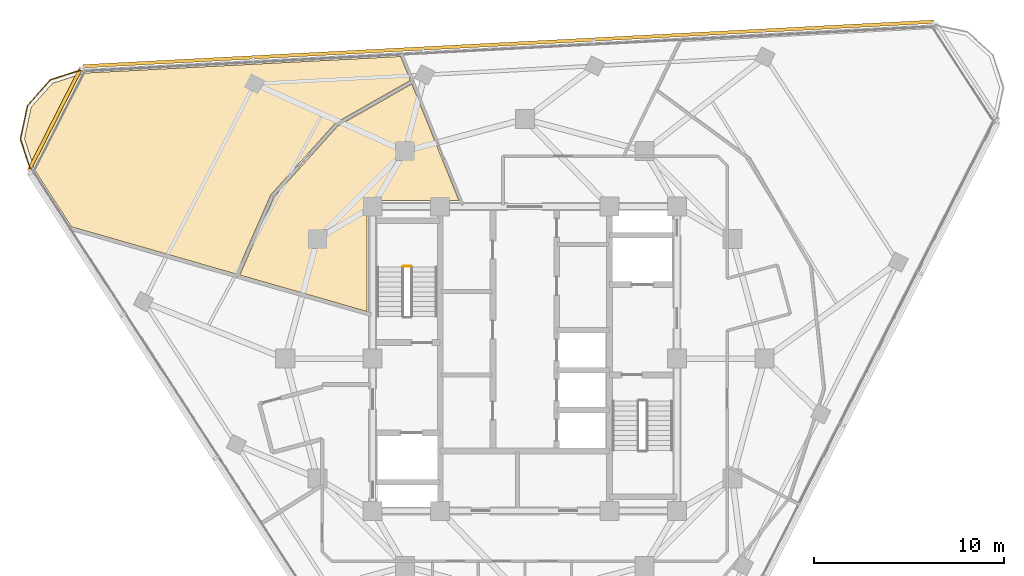
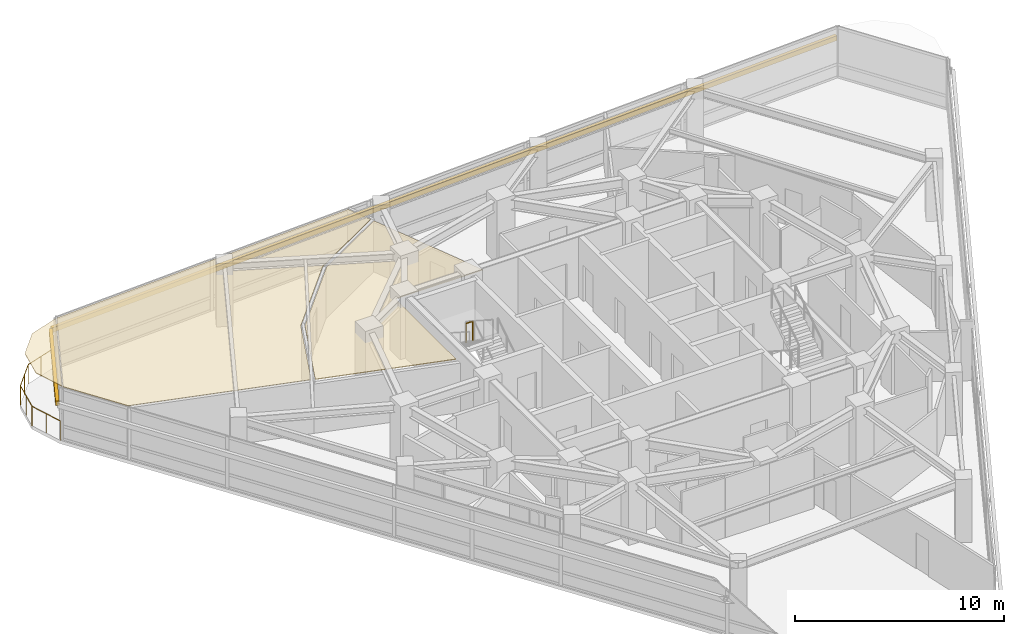
# One storey, part 14 of 15: 2 coverings, 2 railings, 2 shading devices.
"""IFC4 building model written with IfcOpenShell, lengths in metres."""

from ifc_helpers import new_model, si_unit, direction, frame, origin, origin_2d, place, context, subcontext, project, spatial, polyline, rectangle, circle, outline, extrude, material, layer, layer_set, type_object, element, save


model = new_model("IFC4")

# Units and contexts
model_context = context("Model", 3, precision=1e-05, world=origin(), true_north=direction((0.0, 1.0)))
body_context = subcontext(model_context, "Body", "Model", "MODEL_VIEW")
ifc_project = project(units=[si_unit("LENGTHUNIT", "METRE"), si_unit("AREAUNIT", "SQUARE_METRE"), si_unit("VOLUMEUNIT", "CUBIC_METRE"), si_unit("PLANEANGLEUNIT", "RADIAN"), si_unit("MASSUNIT", "GRAM", prefix="KILO")], contexts=[model_context])

# Site, building, storey
site_placement = place(None, origin())
site = spatial("IfcSite", under=ifc_project, at=site_placement, CompositionType="ELEMENT")
building_placement = place(site_placement, origin())
building = spatial("IfcBuilding", under=site, at=building_placement, Name="Terralouvre Media Tower", CompositionType="ELEMENT")
storey_placement = place(building_placement, frame((0.0, 0.0, 259.60009765625)))
storey = spatial("IfcBuildingStorey", under=building, at=storey_placement, Name="L67", CompositionType="ELEMENT", Elevation=259.60009765625)

# Coverings
ifc_material_1 = material(Name="Perforated aluminium acoustic ceiling baffle", Category="aluminium")
ifc_layer_1 = layer(ifc_material_1, 0.0400390625, Name="Perforated Acoustic Metal Tile Ceiling CL-AC1")
ifc_layer_set_1 = layer_set([ifc_layer_1], Name="Perforated aluminium acoustic ceiling baffle")
covering_type = type_object("IfcCoveringType", Name="Perforated Acoustic Metal Tile Ceiling CL-AC1", PredefinedType="CEILING", material=ifc_layer_set_1)
covering_1_placement = place(storey_placement, frame((0.0, 0.0, 2.97998046875), z_axis=(0.0, 0.0, 1.0), x_axis=(0.45399049974, 0.891006524188, 0.0)))
element("IfcCovering", 1, at=covering_1_placement, inside=storey, type_object=covering_type, Name="L67 Foreign Copy Desk Office 8 Acoustic Ceiling", PredefinedType="CEILING", context=body_context, shape_type="SweptSolid", body=[
    extrude(outline(polyline([(6.427001953125, 14.323486328125), (1.595703125, 15.61767578125), (-2.88330078125, 15.356201171875), (-1.556884765625, 8.533203125), (3.54248046875, 11.131591796875), (3.551513671875, 11.135498046875), (3.560791015625, 11.138671875), (3.5703125, 11.140869140625), (3.580078125, 11.14208984375), (3.58984375, 11.142333984375), (3.599609375, 11.1416015625), (3.609375, 11.14013671875), (3.618896484375, 11.137451171875), (3.6279296875, 11.134033203125), (3.63671875, 11.129638671875), (3.64501953125, 11.12451171875), (3.65283203125, 11.118408203125), (3.659912109375, 11.11181640625), (3.66650390625, 11.104248046875), (3.672119140625, 11.096435546875), (3.677001953125, 11.087890625), (5.8310546875, 6.8603515625), (10.17529296875, 11.857666015625), (6.427001953125, 14.323486328125)])), origin(), (0.0, 0.0, 1.0), 0.0400390625),
])
covering_2_placement = place(storey_placement, frame((0.0, 0.0, 2.97998046875), z_axis=(0.0, 0.0, 1.0), x_axis=(0.45399049974, 0.891006524188, 0.0)))
element("IfcCovering", 2, at=covering_2_placement, inside=storey, type_object=covering_type, Name="L67 Morning Rundown Briefing Room 9 Acoustic Ceiling", PredefinedType="CEILING", context=body_context, shape_type="SweptSolid", body=[
    extrude(outline(polyline([(-2.921875, 15.554443359375), (1.60009765625, 15.818115234375), (1.61083984375, 15.818359375), (1.62158203125, 15.817138671875), (1.6318359375, 15.81494140625), (6.494140625, 14.512451171875), (6.50439453125, 14.509033203125), (6.51416015625, 14.504638671875), (6.5234375, 14.499267578125), (10.3076171875, 12.010009765625), (11.196044921875, 13.032470703125), (2.855224609375, 27.47998046875), (1.63623046875, 28.699462890625), (-0.000244140625, 29.137451171875), (-1.635986328125, 28.698974609375), (-2.85546875, 27.479736328125), (-4.638671875, 24.389892578125), (-2.921875, 15.554443359375)])), origin(), (0.0, 0.0, 1.0), 0.0400390625),
])

# Railings
ifc_material_2 = material(Name="Stainless steel 316 handrail and balustrade", Category="steel")
ifc_layer_2 = layer(ifc_material_2, 0.06005859375, Name="Roof Edge Safety Guardrail GR-ROOF1")
ifc_layer_set_2 = layer_set([ifc_layer_2], Name="Stainless steel 316 handrail and balustrade")
railing_type_1 = type_object("IfcRailingType", Name="Roof Edge Safety Guardrail GR-ROOF1", PredefinedType="GUARDRAIL", material=ifc_layer_set_2)
railing_1_placement = place(storey_placement, frame((-23.216796875, 15.2294921875, 0.0)))
element("IfcRailing", 3, at=railing_1_placement, inside=storey, type_object=railing_type_1, Name="L67 Wind-Corner Perimeter Safety Guardrail C2", PredefinedType="GUARDRAIL", context=body_context, shape_type="SweptSolid", body=[
    extrude(circle(Radius=0.02099609375, at=origin_2d()), frame((0.0, 0.0, 1.12890625), z_axis=(-0.951160789169, -0.308695891043, 0.0), x_axis=(0.308695891043, -0.951160789169, 0.0)), (0.0, 0.0, 1.0), 1.81103515625),
    extrude(circle(Radius=0.02099609375, at=origin_2d()), frame((-1.72265625, -0.55908203125, 1.12890625), z_axis=(-0.66920303756, -0.743079601739, 0.0), x_axis=(0.743079601739, -0.66920303756, 0.0)), (0.0, 0.0, 1.0), 1.81103515625),
    extrude(circle(Radius=0.02099609375, at=origin_2d()), frame((-2.9345703125, -1.90478515625, 1.12890625), z_axis=(-0.207770065545, -0.978177693399, 0.0), x_axis=(0.978177693399, -0.207770065545, 0.0)), (0.0, 0.0, 1.0), 1.810791015625),
    extrude(circle(Radius=0.02099609375, at=origin_2d()), frame((-3.310791015625, -3.676025390625, 1.12890625), z_axis=(0.309223227826, -0.950989482262, 0.0), x_axis=(0.950989482262, 0.309223227826, 0.0)), (0.0, 0.0, 1.0), 1.811279296875),
    extrude(circle(Radius=0.01904296875, at=origin_2d()), origin(), (0.0, 0.0, 1.0), 1.10791015625),
    extrude(circle(Radius=0.01904296875, at=origin_2d()), frame((-0.861328125, -0.279541015625, 0.0)), (0.0, 0.0, 1.0), 1.10791015625),
    extrude(circle(Radius=0.01904296875, at=origin_2d()), frame((-1.72265625, -0.55908203125, 0.0)), (0.0, 0.0, 1.0), 1.10791015625),
    extrude(circle(Radius=0.01904296875, at=origin_2d()), frame((-2.32861328125, -1.23193359375, 0.0)), (0.0, 0.0, 1.0), 1.10791015625),
    extrude(circle(Radius=0.01904296875, at=origin_2d()), frame((-2.9345703125, -1.90478515625, 0.0)), (0.0, 0.0, 1.0), 1.10791015625),
    extrude(circle(Radius=0.01904296875, at=origin_2d()), frame((-3.12255859375, -2.79052734375, 0.0)), (0.0, 0.0, 1.0), 1.10791015625),
    extrude(circle(Radius=0.01904296875, at=origin_2d()), frame((-3.310791015625, -3.676025390625, 0.0)), (0.0, 0.0, 1.0), 1.10791015625),
    extrude(circle(Radius=0.01904296875, at=origin_2d()), frame((-3.03076171875, -4.537109375, 0.0)), (0.0, 0.0, 1.0), 1.10791015625),
    extrude(circle(Radius=0.01904296875, at=origin_2d()), frame((-2.750732421875, -5.3984375, 0.0)), (0.0, 0.0, 1.0), 1.10791015625),
])
ifc_material_3 = material(Name="Stainless steel 316 handrail and balustrade", Category="steel")
ifc_layer_3 = layer(ifc_material_3, 0.050048828125, Name="Stairwell Safety Guardrail GR-INT1")
ifc_layer_set_3 = layer_set([ifc_layer_3], Name="Stainless steel 316 handrail and balustrade")
railing_type_2 = type_object("IfcRailingType", Name="Stairwell Safety Guardrail GR-INT1", PredefinedType="GUARDRAIL", material=ifc_layer_set_3)
railing_2_placement = place(storey_placement, frame((-6.0, 4.8701171875, 1.849853515625)))
element("IfcRailing", 4, at=railing_2_placement, inside=storey, type_object=railing_type_2, Name="L67 ST-01 stair guard 2", PredefinedType="GUARDRAIL", context=body_context, shape_type="SweptSolid", body=[
    extrude(circle(Radius=0.02392578125, at=origin_2d()), frame((0.0, 0.0, 1.1259765625), z_axis=(-1.0, 0.0, 0.0), x_axis=(0.0, -1.0, 0.0)), (0.0, 0.0, 1.0), 0.3798828125),
    extrude(circle(Radius=0.02099609375, at=origin_2d()), origin(), (0.0, 0.0, 1.0), 1.101806640625),
    extrude(circle(Radius=0.02099609375, at=origin_2d()), frame((-0.3798828125, 0.0, 0.0)), (0.0, 0.0, 1.0), 1.101806640625),
])

# Shading devices
ifc_material_4 = material(Name="Extruded terracotta baguette sunshade louvres", Category="masonry")
shading_device_type = type_object("IfcShadingDeviceType", Name="Terracotta Baguette Sunshade Louvre Screen TB-LV1", PredefinedType="USERDEFINED", material=ifc_material_4)
shading_device_1_placement = place(storey_placement, frame((-0.867431640625, 16.550048828125, 2.02392578125), z_axis=(0.0, 0.0, 1.0), x_axis=(-0.998629523875, -0.052336163844, 0.0)))
element("IfcShadingDevice", 5, at=shading_device_1_placement, inside=storey, type_object=shading_device_type, Name="CW-L67-F1 Terracotta Baguette Sunshade Louvre", ObjectType="BAGUETTE", PredefinedType="USERDEFINED", context=body_context, shape_type="SweptSolid", body=[
    extrude(rectangle(XDim=44.800048828125, YDim=0.179931640625, at=origin_2d()), origin(), (0.0, 0.0, 1.0), 0.280029296875),
])
shading_device_2_placement = place(storey_placement, frame((-24.71240234375, 12.591552734375, 2.02392578125), z_axis=(0.0, 0.0, 1.0), x_axis=(-0.453990349937, -0.891006600517, 0.0)))
element("IfcShadingDevice", 6, at=shading_device_2_placement, inside=storey, type_object=shading_device_type, Name="CW-L67-C2 Terracotta Baguette Sunshade Louvre", ObjectType="BAGUETTE", PredefinedType="USERDEFINED", context=body_context, shape_type="SweptSolid", body=[
    extrude(rectangle(XDim=6.062255859375, YDim=0.179931640625, at=origin_2d()), origin(), (0.0, 0.0, 1.0), 0.280029296875),
])

save(model, "model.ifc")
